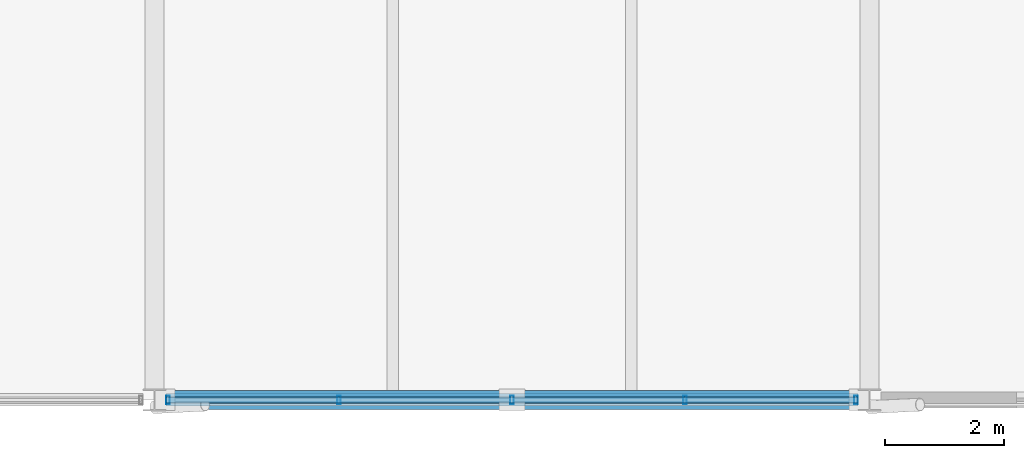
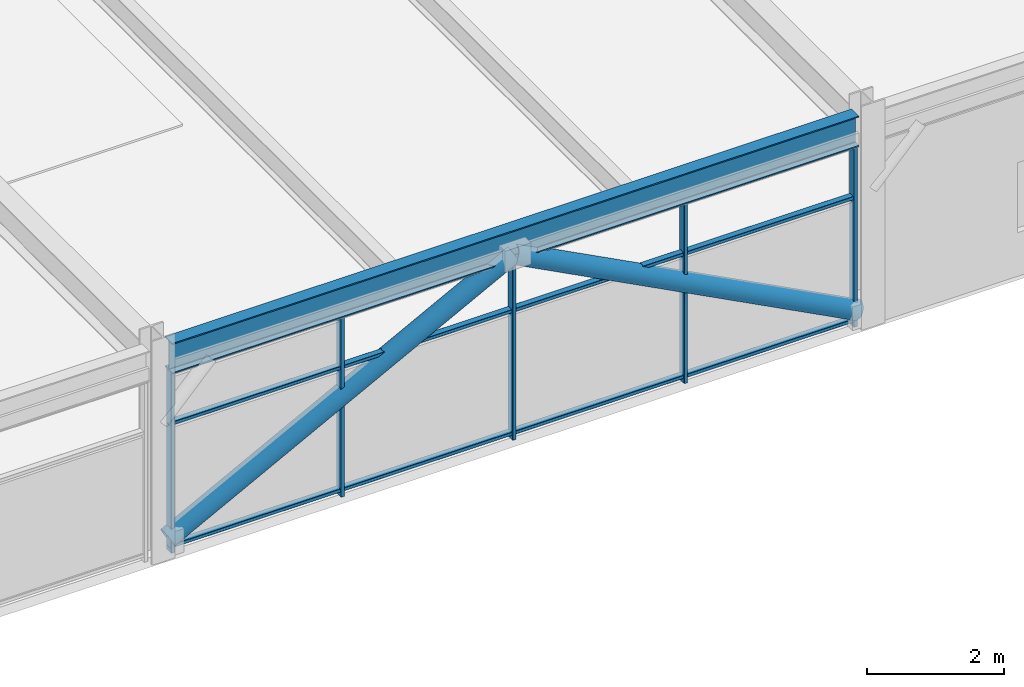
# One storey, part 33 of 52: 10 members, 1 beam, 1 element without a shape of its own.
"""IFC4 building model written with IfcOpenShell, lengths in metres."""

from ifc_helpers import new_model, si_unit, direction, frame, origin, origin_2d, place, context, subcontext, project, spatial, hollow_rectangle, hollow_circle, i_section, extrude, material, material_profile, profile_set, type_object, element, aggregate, save


model = new_model("IFC4")

# Units and contexts
model_context = context("Model", 3, precision=1e-05, world=origin(), true_north=direction((0.0, 1.0)))
body_context = subcontext(model_context, "Body", "Model", "MODEL_VIEW")
ifc_project = project(units=[si_unit("LENGTHUNIT", "METRE"), si_unit("AREAUNIT", "SQUARE_METRE"), si_unit("VOLUMEUNIT", "CUBIC_METRE"), si_unit("PLANEANGLEUNIT", "RADIAN"), si_unit("MASSUNIT", "GRAM", prefix="KILO")], contexts=[model_context])

# Site, building, storey
site_placement = place(None, origin())
site = spatial("IfcSite", under=ifc_project, at=site_placement, CompositionType="ELEMENT")
building_placement = place(site_placement, origin())
building = spatial("IfcBuilding", under=site, at=building_placement, Name="Girod Span Mobility Hub", CompositionType="ELEMENT")
storey_placement = place(building_placement, frame((0.0, 0.0, 45.60009765625)))
storey = spatial("IfcBuildingStorey", under=building, at=storey_placement, Name="L11", CompositionType="ELEMENT", Elevation=45.60009765625)

# Beam
ifc_material_1 = material(Name="Steel A992 Grade 50", Category="steel")
ifc_material_profile_1 = material_profile(ifc_material_1, i_section(OverallWidth=0.2119140625, OverallDepth=0.5439453125, WebThickness=0.01318359375, FlangeThickness=0.021240234375, FilletRadius=0.014892578125, at=origin_2d()), Name="W21X83")
ifc_profile_set_1 = profile_set([ifc_material_profile_1], Name="Steel A992 Grade 50")
beam_type = type_object("IfcBeamType", Name="BM-STL-W21X83", PredefinedType="SPANDREL", material=ifc_profile_set_1)
beam_placement = place(storey_placement, frame((120.194091796875, 27.0, 3.5078125), z_axis=(1.0, 0.0, 0.0), x_axis=(0.0, 1.0, 0.0)))
element("IfcBeam", 1, at=beam_placement, inside=storey, type_object=beam_type, Name="Girder 11-12/C L11", PredefinedType="SPANDREL", context=body_context, shape_type="SweptSolid", body=[
    extrude(i_section(OverallWidth=0.2119140625, OverallDepth=0.5439453125, WebThickness=0.01318359375, FlangeThickness=0.021240234375, FilletRadius=0.014892578125, at=origin_2d()), origin(), (0.0, 0.0, 1.0), 11.61181640625),
])

# Curtain wall, members
ifc_material_2 = material(Name="Thermally Broken Anodised Aluminium", Category="aluminium")
curtain_wall_type = type_object("IfcCurtainWallType", Name="CW-1161X324", PredefinedType="USERDEFINED", material=ifc_material_2)
curtain_wall_placement = place(storey_placement, origin())
curtain_wall = element("IfcCurtainWall", 2, at=curtain_wall_placement, inside=storey, type_object=curtain_wall_type, Name="Unitised Curtain Wall CW-L11-S11 L11", ObjectType="UNITISED CURTAIN WALL", PredefinedType="USERDEFINED")
ifc_material_3 = material(Name="Thermally Broken Anodised Aluminium", Category="aluminium")
ifc_material_profile_2 = material_profile(ifc_material_3, hollow_rectangle(XDim=0.139892578125, YDim=0.06005859375, WallThickness=0.00341796875, InnerFilletRadius=0.00341796875, OuterFilletRadius=0.007080078125, at=origin_2d()), Name="CW-ML-60X140")
ifc_profile_set_2 = profile_set([ifc_material_profile_2], Name="Thermally Broken Anodised Aluminium")
member_type_1 = type_object("IfcMemberType", Name="CWM-ML-4", PredefinedType="MULLION", material=ifc_profile_set_2)
member_1_placement = place(storey_placement, frame((120.22705078125, 27.0, 0.0), z_axis=(0.0, 0.0, 1.0), x_axis=(0.0, 1.0, 0.0)))
member_1 = element("IfcMember", 3, at=member_1_placement, type_object=member_type_1, Name="Curtain Wall Mullion CW-L11-S11-M0", PredefinedType="MULLION", context=body_context, shape_type="SweptSolid", body=[
    extrude(hollow_rectangle(XDim=0.139892578125, YDim=0.06005859375, WallThickness=0.00341796875, InnerFilletRadius=0.00341796875, OuterFilletRadius=0.007080078125, at=origin_2d()), origin(), (0.0, 0.0, 1.0), 3.23583984375),
])
member_2_placement = place(storey_placement, frame((123.097412109375, 27.0, 0.0), z_axis=(0.0, 0.0, 1.0), x_axis=(0.0, 1.0, 0.0)))
member_2 = element("IfcMember", 4, at=member_2_placement, type_object=member_type_1, Name="Curtain Wall Mullion CW-L11-S11-M1", PredefinedType="MULLION", context=body_context, shape_type="SweptSolid", body=[
    extrude(hollow_rectangle(XDim=0.139892578125, YDim=0.06005859375, WallThickness=0.00341796875, InnerFilletRadius=0.00341796875, OuterFilletRadius=0.007080078125, at=origin_2d()), origin(), (0.0, 0.0, 1.0), 3.23583984375),
])
member_3_placement = place(storey_placement, frame((126.0, 27.0, 0.0), z_axis=(0.0, 0.0, 1.0), x_axis=(0.0, 1.0, 0.0)))
member_3 = element("IfcMember", 5, at=member_3_placement, type_object=member_type_1, Name="Curtain Wall Mullion CW-L11-S11-M2", PredefinedType="MULLION", context=body_context, shape_type="SweptSolid", body=[
    extrude(hollow_rectangle(XDim=0.139892578125, YDim=0.06005859375, WallThickness=0.00341796875, InnerFilletRadius=0.00341796875, OuterFilletRadius=0.007080078125, at=origin_2d()), origin(), (0.0, 0.0, 1.0), 3.23583984375),
])
member_4_placement = place(storey_placement, frame((128.902587890625, 27.0, 0.0), z_axis=(0.0, 0.0, 1.0), x_axis=(0.0, 1.0, 0.0)))
member_4 = element("IfcMember", 6, at=member_4_placement, type_object=member_type_1, Name="Curtain Wall Mullion CW-L11-S11-M3", PredefinedType="MULLION", context=body_context, shape_type="SweptSolid", body=[
    extrude(hollow_rectangle(XDim=0.139892578125, YDim=0.06005859375, WallThickness=0.00341796875, InnerFilletRadius=0.00341796875, OuterFilletRadius=0.007080078125, at=origin_2d()), origin(), (0.0, 0.0, 1.0), 3.23583984375),
])
member_5_placement = place(storey_placement, frame((131.77294921875, 27.0, 0.0), z_axis=(0.0, 0.0, 1.0), x_axis=(0.0, 1.0, 0.0)))
member_5 = element("IfcMember", 7, at=member_5_placement, type_object=member_type_1, Name="Curtain Wall Mullion CW-L11-S11-M4", PredefinedType="MULLION", context=body_context, shape_type="SweptSolid", body=[
    extrude(hollow_rectangle(XDim=0.139892578125, YDim=0.06005859375, WallThickness=0.00341796875, InnerFilletRadius=0.00341796875, OuterFilletRadius=0.007080078125, at=origin_2d()), origin(), (0.0, 0.0, 1.0), 3.23583984375),
])
ifc_material_4 = material(Name="Thermally Broken Anodised Aluminium", Category="aluminium")
ifc_material_profile_3 = material_profile(ifc_material_4, hollow_rectangle(XDim=0.10498046875, YDim=0.06005859375, WallThickness=0.00341796875, InnerFilletRadius=0.00341796875, OuterFilletRadius=0.007080078125, at=origin_2d()), Name="CW-TR-60X105")
ifc_profile_set_3 = profile_set([ifc_material_profile_3], Name="Thermally Broken Anodised Aluminium")
member_type_2 = type_object("IfcMemberType", Name="CWM-TR-4", PredefinedType="USERDEFINED", material=ifc_profile_set_3)
member_6_placement = place(storey_placement, frame((120.195068359375, 27.0, 0.10986328125), z_axis=(1.0, 0.0, 0.0), x_axis=(0.0, 1.0, 0.0)))
member_6 = element("IfcMember", 8, at=member_6_placement, type_object=member_type_2, Name="Curtain Wall Transom CW-L11-S11-T1", ObjectType="TRANSOM", PredefinedType="USERDEFINED", context=body_context, shape_type="SweptSolid", body=[
    extrude(hollow_rectangle(XDim=0.10498046875, YDim=0.06005859375, WallThickness=0.00341796875, InnerFilletRadius=0.00341796875, OuterFilletRadius=0.007080078125, at=origin_2d()), origin(), (0.0, 0.0, 1.0), 11.60986328125),
])
member_7_placement = place(storey_placement, frame((120.195068359375, 27.0, 2.2998046875), z_axis=(1.0, 0.0, 0.0), x_axis=(0.0, 1.0, 0.0)))
member_7 = element("IfcMember", 9, at=member_7_placement, type_object=member_type_2, Name="Curtain Wall Transom CW-L11-S11-T2", ObjectType="TRANSOM", PredefinedType="USERDEFINED", context=body_context, shape_type="SweptSolid", body=[
    extrude(hollow_rectangle(XDim=0.10498046875, YDim=0.06005859375, WallThickness=0.00341796875, InnerFilletRadius=0.00341796875, OuterFilletRadius=0.007080078125, at=origin_2d()), origin(), (0.0, 0.0, 1.0), 11.60986328125),
])
member_8_placement = place(storey_placement, frame((120.195068359375, 27.0, 3.205810546875), z_axis=(1.0, 0.0, 0.0), x_axis=(0.0, 1.0, 0.0)))
member_8 = element("IfcMember", 10, at=member_8_placement, type_object=member_type_2, Name="Curtain Wall Transom CW-L11-S11-T3", ObjectType="TRANSOM", PredefinedType="USERDEFINED", context=body_context, shape_type="SweptSolid", body=[
    extrude(hollow_rectangle(XDim=0.10498046875, YDim=0.06005859375, WallThickness=0.00341796875, InnerFilletRadius=0.00341796875, OuterFilletRadius=0.007080078125, at=origin_2d()), origin(), (0.0, 0.0, 1.0), 11.60986328125),
])
aggregate(curtain_wall, [member_1, member_2, member_3, member_4, member_5, member_6, member_7, member_8])

# Members
ifc_material_5 = material(Name="Steel HSS A500 Grade C", Category="steel")
ifc_material_profile_4 = material_profile(ifc_material_5, hollow_circle(Radius=0.162109375, WallThickness=0.01171875, at=origin_2d()), Name="HSS324X12.7")
ifc_profile_set_4 = profile_set([ifc_material_profile_4], Name="Steel HSS A500 Grade C")
member_type_3 = type_object("IfcMemberType", Name="MB-BR-HSS324", PredefinedType="BRACE", material=ifc_profile_set_4)
for number, where, z_axis, x_axis, name in (
    (11, (120.177001953125, 27.0, 0.25), (0.886096804354, 0.0, 0.463500219325), (0.0, 1.0, 0.0), "Upper Diagrid Brace 11/C-L L11"),
    (12, (131.822998046875, 27.0, 0.25), (-0.886096804354, 0.0, 0.463500219325), (0.0, -1.0, 0.0), "Upper Diagrid Brace 11/C-R L11"),
):
    element("IfcMember", number, at=place(storey_placement, frame(where, z_axis=z_axis, x_axis=x_axis)), inside=storey, type_object=member_type_3, Name=name, PredefinedType="BRACE", context=body_context, shape_type="SweptSolid", body=[
        extrude(hollow_circle(Radius=0.162109375, WallThickness=0.01171875, at=origin_2d()), origin(), (0.0, 0.0, 1.0), 6.571533203125),
    ])

save(model, "model.ifc")
